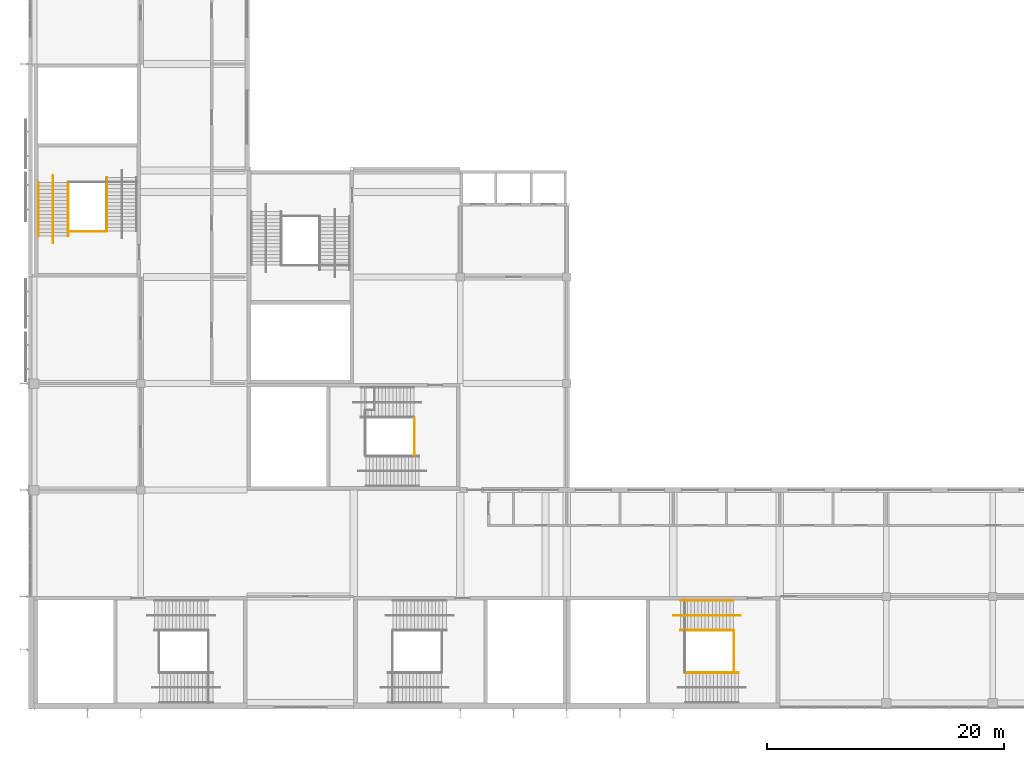
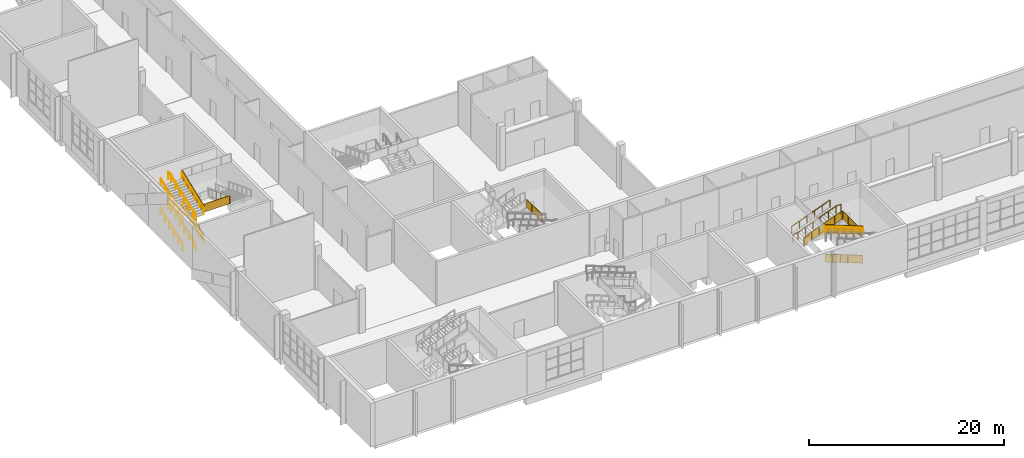
# One storey, part 63 of 84: 19 railings.
"""IFC4 building model written with IfcOpenShell, lengths in metres."""

import ifcopenshell
import ifcopenshell.guid

model = None  # the IFC model being written
_history = None  # IfcOwnerHistory: only IFC2X3 demands one
_inside = {}  # id of a spatial element -> (the spatial element, [elements in it])
_under = {}  # id of a project, library or spatial element -> (it, [spatial elements below it])
_declared = {}  # id of a project -> (the project, [libraries it declares])
_typed = {}  # id of a type object -> (the type object, [elements of that type])
_made_of = {}  # id of a material, layer set ... -> (it, [elements and type objects made of it])


def new_model(schema):
    """Start an empty IFC model of exactly this schema.

    Asked for "IFC4X3", IfcOpenShell would pick the latest addendum, in which some entities
    have other attributes; the version numbers below select the first issue.
    IFC2X3 requires an IfcOwnerHistory on every rooted entity: one is made here for all.
    """
    global model, _history
    if schema == "IFC4X3":
        model = ifcopenshell.file(schema_version=(4, 3, 0, 0))
    else:
        model = ifcopenshell.file(schema=schema)
    _inside.clear()
    _under.clear()
    _declared.clear()
    _typed.clear()
    _made_of.clear()
    _history = None
    if model.schema == "IFC2X3":
        org = make("IfcOrganization", Name="unknown")
        user = make(
            "IfcPersonAndOrganization",
            ThePerson=make("IfcPerson", FamilyName="unknown"),
            TheOrganization=org,
        )
        app = make(
            "IfcApplication",
            ApplicationDeveloper=org,
            Version="unknown",
            ApplicationFullName="unknown",
            ApplicationIdentifier="unknown",
        )
        _history = make(
            "IfcOwnerHistory",
            OwningUser=user,
            OwningApplication=app,
            ChangeAction="ADDED",
            CreationDate=0,
        )
    return model


def make(cls, **values):
    """One entity of the class cls with the attributes given. An attribute that is None is left unset."""
    return model.create_entity(
        cls, **{name: value for name, value in values.items() if value is not None}
    )


def rooted(cls, **values):
    """An entity with a GlobalId (a new one), such as an element, a storey or a relation."""
    return make(cls, GlobalId=ifcopenshell.guid.new(), OwnerHistory=_history, **values)


def si_unit(unit_type, name, prefix=None):
    """IfcSIUnit, for example si_unit("LENGTHUNIT", "METRE", prefix="MILLI")."""
    return make("IfcSIUnit", UnitType=unit_type, Prefix=prefix, Name=name)


def assignment(units):
    """IfcUnitAssignment: the units of a project."""
    return None if units is None else make("IfcUnitAssignment", Units=units)


def point(xyz):
    """IfcCartesianPoint."""
    return None if xyz is None else make("IfcCartesianPoint", Coordinates=xyz)


def direction(xyz):
    """IfcDirection."""
    return None if xyz is None else make("IfcDirection", DirectionRatios=xyz)


def frame(location, z_axis=None, x_axis=None):
    """IfcAxis2Placement3D, a coordinate frame: its origin and axes. An axis left out is left unset."""
    return make(
        "IfcAxis2Placement3D",
        Location=point(location),
        Axis=direction(z_axis),
        RefDirection=direction(x_axis),
    )


def frame_2d(location, x_axis=None):
    """IfcAxis2Placement2D, a coordinate frame in the plane: its origin and x axis."""
    return make(
        "IfcAxis2Placement2D", Location=point(location), RefDirection=direction(x_axis)
    )


def origin():
    """The frame at (0, 0, 0) with its axes left unset."""
    return frame((0.0, 0.0, 0.0))


def origin_2d():
    """The frame at (0, 0) in the plane with its x axis left unset."""
    return frame_2d((0.0, 0.0))


def place(relative_to, where):
    """IfcLocalPlacement: puts the frame where relative to a parent placement (None: the world)."""
    return make(
        "IfcLocalPlacement", PlacementRelTo=relative_to, RelativePlacement=where
    )


def context(
    kind, dimensions, precision=None, world=None, true_north=None, identifier=None
):
    """IfcGeometricRepresentationContext, for example the 3D "Model" context."""
    return make(
        "IfcGeometricRepresentationContext",
        ContextIdentifier=identifier,
        ContextType=kind,
        CoordinateSpaceDimension=dimensions,
        Precision=precision,
        WorldCoordinateSystem=world,
        TrueNorth=true_north,
    )


def subcontext(parent, identifier, kind, view, scale=None):
    """IfcGeometricRepresentationSubContext, for example "Body" below "Model"."""
    return make(
        "IfcGeometricRepresentationSubContext",
        ContextIdentifier=identifier,
        ContextType=kind,
        ParentContext=parent,
        TargetScale=scale,
        TargetView=view,
    )


def project(units=None, contexts=None):
    """IfcProject with its units and contexts."""
    return rooted(
        "IfcProject",
        Name="project",
        RepresentationContexts=contexts,
        UnitsInContext=assignment(units),
    )


def spatial(cls, under=None, at=None, **own):
    """A site, building, storey or space (cls), placed at a placement, below another one or the project."""
    s = rooted(cls, ObjectPlacement=at, **own)
    if under is not None:
        _under.setdefault(under.id(), (under, []))[1].append(s)
    return s


def polyline(points):
    """IfcPolyline through the points."""
    return make("IfcPolyline", Points=[point(p) for p in points])


def profile(cls, at=None, kind="AREA", **sizes):
    """A parametric profile (cls). Its sizes go by their IFC names, for example OverallWidth=200.0."""
    return make(cls, ProfileType=kind, Position=at, **sizes)


def circle(**sizes):
    """IfcCircleProfileDef."""
    return profile("IfcCircleProfileDef", **sizes)


def outline(outer, holes=None, kind="AREA"):
    """IfcArbitraryClosedProfileDef: a profile drawn as a closed curve; with holes, ...WithVoids."""
    if holes is None:
        return make("IfcArbitraryClosedProfileDef", ProfileType=kind, OuterCurve=outer)
    return make(
        "IfcArbitraryProfileDefWithVoids",
        ProfileType=kind,
        OuterCurve=outer,
        InnerCurves=holes,
    )


def extrude(swept, where, along, depth):
    """IfcExtrudedAreaSolid: the profile swept, set in the frame where, extruded along a direction by depth."""
    return make(
        "IfcExtrudedAreaSolid",
        SweptArea=swept,
        Position=where,
        ExtrudedDirection=direction(along),
        Depth=depth,
    )


def shape(context_of_items, identifier, shape_type, items):
    """IfcShapeRepresentation: the items that make up one representation, for example the "Body"."""
    return make(
        "IfcShapeRepresentation",
        ContextOfItems=context_of_items,
        RepresentationIdentifier=identifier,
        RepresentationType=shape_type,
        Items=items,
    )


def material(Name=None, Category=None):
    """IfcMaterial."""
    return make("IfcMaterial", Name=Name, Category=Category)


def made_of(thing, what):
    """Note that an element or type object is made of a material, layer set ...; save() writes the relation."""
    if what is not None:
        _made_of.setdefault(what.id(), (what, []))[1].append(thing)
    return thing


def type_object(cls, material=None, **own):
    """A type object (cls), such as IfcWallType, which elements share."""
    return made_of(rooted(cls, **own), material)


def element(
    cls,
    number,
    at=None,
    inside=None,
    cuts=None,
    type_object=None,
    material=None,
    context=None,
    identifier="Body",
    shape_type=None,
    held_by="IfcProductDefinitionShape",
    body=None,
    shapes=None,
    **own,
):
    """One element of the class cls, such as IfcWall. Its Tag is "e" and its number.

    at: its placement. inside: the storey or other place that contains it. cuts: it is an
    opening in that element (IfcRelVoidsElement). A single representation is given by context,
    identifier, shape_type and body (its items); several are given by shapes. held_by: the class
    of the entity that holds the representations. save() writes the other relations.
    """
    e = rooted(cls, Tag="e%d" % number, ObjectPlacement=at, **own)
    if body is not None:
        shapes = [shape(context, identifier, shape_type, body)]
    if shapes is not None:
        e.Representation = make(held_by, Representations=shapes)
    if inside is not None:
        _inside.setdefault(inside.id(), (inside, []))[1].append(e)
    if cuts is not None:
        rooted(
            "IfcRelVoidsElement", RelatingBuildingElement=cuts, RelatedOpeningElement=e
        )
    if type_object is not None:
        _typed.setdefault(type_object.id(), (type_object, []))[1].append(e)
    return made_of(e, material)


def aggregate(whole, parts):
    """IfcRelAggregates: a whole, such as a stair, and the parts it consists of."""
    return rooted("IfcRelAggregates", RelatingObject=whole, RelatedObjects=parts)


def save(model, path):
    """Write the relations noted so far, then the file.

    IfcRelAggregates (storeys below a building ...), IfcRelContainedInSpatialStructure (elements
    in a storey), IfcRelDefinesByType, IfcRelAssociatesMaterial and IfcRelDeclares: one each for
    every whole, place, type object, material and project.
    """
    for whole, parts in _under.values():
        aggregate(whole, parts)
    for where, things in _inside.values():
        rooted(
            "IfcRelContainedInSpatialStructure",
            RelatedElements=things,
            RelatingStructure=where,
        )
    for kind, things in _typed.values():
        rooted("IfcRelDefinesByType", RelatedObjects=things, RelatingType=kind)
    for what, things in _made_of.values():
        rooted("IfcRelAssociatesMaterial", RelatedObjects=things, RelatingMaterial=what)
    for by, libraries in _declared.values():
        rooted("IfcRelDeclares", RelatingContext=by, RelatedDefinitions=libraries)
    model.write(path)


model = new_model("IFC4")

# Units and contexts
model_context = context("Model", 3, precision=1e-05, world=origin(), true_north=direction((0.0, 1.0)))
body_context = subcontext(model_context, "Body", "Model", "MODEL_VIEW")
ifc_project = project(units=[si_unit("LENGTHUNIT", "METRE"), si_unit("AREAUNIT", "SQUARE_METRE"), si_unit("VOLUMEUNIT", "CUBIC_METRE"), si_unit("PLANEANGLEUNIT", "RADIAN"), si_unit("MASSUNIT", "GRAM", prefix="KILO")], contexts=[model_context])

# Site, building, storey
site_placement = place(None, origin())
site = spatial("IfcSite", under=ifc_project, at=site_placement, CompositionType="ELEMENT")
building_placement = place(site_placement, origin())
building = spatial("IfcBuilding", under=site, at=building_placement, Name="Silverbay Arena", CompositionType="ELEMENT")
storey_placement = place(building_placement, frame((0.0, 0.0, 28.0)))
storey = spatial("IfcBuildingStorey", under=building, at=storey_placement, Name="L04", CompositionType="ELEMENT", Elevation=28.0)

# Railings
ifc_material_1 = material(Name="Stainless steel", Category="steel")
railing_type_1 = type_object("IfcRailingType", Name="Stair guard 1100", PredefinedType="GUARDRAIL", material=ifc_material_1)
railing_1_placement = place(storey_placement, frame((113.5205078125, 20.574951171875, 0.114501953125)))
element("IfcRailing", 1, at=railing_1_placement, inside=storey, type_object=railing_type_1, Name="Stair ST-S2 L04 to L05 flight 1 guard left", PredefinedType="GUARDRAIL", context=body_context, shape_type="SweptSolid", body=[
    extrude(circle(Radius=0.02392578125, at=origin_2d()), frame((0.0, 0.0, 1.076171875), z_axis=(-0.93417907455, 0.0, 0.356804507641), x_axis=(0.0, -1.0, 0.0)), (0.0, 0.0, 1.0), 4.817138671875),
    extrude(outline(polyline([(-0.008056640625, 0.046875), (0.907958984375, 0.396728515625), (0.907958984375, 1.39990234375), (-0.008056640625, 1.050048828125), (-0.008056640625, 0.046875)])), frame((0.0, -0.0029296875, 0.0), z_axis=(0.0, 1.0, 0.0), x_axis=(-1.0, 0.0, 0.0)), (0.0, 0.0, 1.0), 0.006103515625),
    extrude(outline(polyline([(-0.008056640625, 0.390625), (0.907958984375, 0.740478515625), (0.907958984375, 1.74365234375), (-0.008056640625, 1.393798828125), (-0.008056640625, 0.390625)])), frame((-0.89990234375, -0.0029296875, 0.0), z_axis=(0.0, 1.0, 0.0), x_axis=(-1.0, 0.0, 0.0)), (0.0, 0.0, 1.0), 0.006103515625),
    extrude(outline(polyline([(-0.008056640625, 0.734375), (0.907958984375, 1.084228515625), (0.907958984375, 2.08740234375), (-0.008056640625, 1.737548828125), (-0.008056640625, 0.734375)])), frame((-1.800048828125, -0.0029296875, 0.0), z_axis=(0.0, 1.0, 0.0), x_axis=(-1.0, 0.0, 0.0)), (0.0, 0.0, 1.0), 0.006103515625),
    extrude(outline(polyline([(-0.008056640625, 1.078125), (0.907958984375, 1.427978515625), (0.907958984375, 2.43115234375), (-0.008056640625, 2.081298828125), (-0.008056640625, 1.078125)])), frame((-2.699951171875, -0.0029296875, 0.0), z_axis=(0.0, 1.0, 0.0), x_axis=(-1.0, 0.0, 0.0)), (0.0, 0.0, 1.0), 0.006103515625),
    extrude(outline(polyline([(-0.008056640625, 1.421875), (0.907958984375, 1.771728515625), (0.907958984375, 2.77490234375), (-0.008056640625, 2.425048828125), (-0.008056640625, 1.421875)])), frame((-3.60009765625, -0.0029296875, 0.0), z_axis=(0.0, 1.0, 0.0), x_axis=(-1.0, 0.0, 0.0)), (0.0, 0.0, 1.0), 0.006103515625),
    extrude(circle(Radius=0.02099609375, at=origin_2d()), origin(), (0.0, 0.0, 1.0), 1.052001953125),
    extrude(circle(Radius=0.02099609375, at=origin_2d()), frame((-0.89990234375, 0.0, 0.34375)), (0.0, 0.0, 1.0), 1.052001953125),
    extrude(circle(Radius=0.02099609375, at=origin_2d()), frame((-1.800048828125, 0.0, 0.6875)), (0.0, 0.0, 1.0), 1.052001953125),
    extrude(circle(Radius=0.02099609375, at=origin_2d()), frame((-2.699951171875, 0.0, 1.03125)), (0.0, 0.0, 1.0), 1.052001953125),
    extrude(circle(Radius=0.02099609375, at=origin_2d()), frame((-3.60009765625, 0.0, 1.375)), (0.0, 0.0, 1.0), 1.052001953125),
    extrude(circle(Radius=0.02099609375, at=origin_2d()), frame((-4.5, 0.0, 1.71875)), (0.0, 0.0, 1.0), 1.052001953125),
])
railing_2_placement = place(storey_placement, frame((108.60009765625, 24.125, 1.947998046875)))
element("IfcRailing", 2, at=railing_2_placement, inside=storey, type_object=railing_type_1, Name="Stair ST-S2 L04 to L05 flight 2 guard right", PredefinedType="GUARDRAIL", context=body_context, shape_type="SweptSolid", body=[
    extrude(circle(Radius=0.02392578125, at=origin_2d()), frame((0.0, 0.0, 1.076171875), z_axis=(0.93417907455, 0.0, 0.356804507641), x_axis=(0.0, 1.0, 0.0)), (0.0, 0.0, 1.0), 4.817138671875),
    extrude(outline(polyline([(-0.008056640625, 0.046875), (0.907958984375, 0.396728515625), (0.907958984375, 1.39990234375), (-0.008056640625, 1.050048828125), (-0.008056640625, 0.046875)])), frame((0.0, 0.0029296875, 0.0), z_axis=(0.0, -1.0, 0.0), x_axis=(1.0, 0.0, 0.0)), (0.0, 0.0, 1.0), 0.006103515625),
    extrude(outline(polyline([(-0.008056640625, 0.390625), (0.907958984375, 0.740478515625), (0.907958984375, 1.74365234375), (-0.008056640625, 1.393798828125), (-0.008056640625, 0.390625)])), frame((0.89990234375, 0.0029296875, 0.0), z_axis=(0.0, -1.0, 0.0), x_axis=(1.0, 0.0, 0.0)), (0.0, 0.0, 1.0), 0.006103515625),
    extrude(outline(polyline([(-0.008056640625, 0.734375), (0.907958984375, 1.084228515625), (0.907958984375, 2.08740234375), (-0.008056640625, 1.737548828125), (-0.008056640625, 0.734375)])), frame((1.800048828125, 0.0029296875, 0.0), z_axis=(0.0, -1.0, 0.0), x_axis=(1.0, 0.0, 0.0)), (0.0, 0.0, 1.0), 0.006103515625),
    extrude(outline(polyline([(-0.008056640625, 1.078125), (0.907958984375, 1.427978515625), (0.907958984375, 2.43115234375), (-0.008056640625, 2.081298828125), (-0.008056640625, 1.078125)])), frame((2.699951171875, 0.0029296875, 0.0), z_axis=(0.0, -1.0, 0.0), x_axis=(1.0, 0.0, 0.0)), (0.0, 0.0, 1.0), 0.006103515625),
    extrude(outline(polyline([(-0.008056640625, 1.421875), (0.907958984375, 1.771728515625), (0.907958984375, 2.77490234375), (-0.008056640625, 2.425048828125), (-0.008056640625, 1.421875)])), frame((3.60009765625, 0.0029296875, 0.0), z_axis=(0.0, -1.0, 0.0), x_axis=(1.0, 0.0, 0.0)), (0.0, 0.0, 1.0), 0.006103515625),
    extrude(circle(Radius=0.02099609375, at=origin_2d()), origin(), (0.0, 0.0, 1.0), 1.052001953125),
    extrude(circle(Radius=0.02099609375, at=origin_2d()), frame((0.89990234375, 0.0, 0.34375)), (0.0, 0.0, 1.0), 1.052001953125),
    extrude(circle(Radius=0.02099609375, at=origin_2d()), frame((1.800048828125, 0.0, 0.6875)), (0.0, 0.0, 1.0), 1.052001953125),
    extrude(circle(Radius=0.02099609375, at=origin_2d()), frame((2.699951171875, 0.0, 1.03125)), (0.0, 0.0, 1.0), 1.052001953125),
    extrude(circle(Radius=0.02099609375, at=origin_2d()), frame((3.60009765625, 0.0, 1.375)), (0.0, 0.0, 1.0), 1.052001953125),
    extrude(circle(Radius=0.02099609375, at=origin_2d()), frame((4.5, 0.0, 1.71875)), (0.0, 0.0, 1.0), 1.052001953125),
])
railing_3_placement = place(storey_placement, frame((113.5205078125, 20.574951171875, 3.78125)))
element("IfcRailing", 3, at=railing_3_placement, inside=storey, type_object=railing_type_1, Name="Stair ST-S2 L04 to L05 flight 3 guard left", PredefinedType="GUARDRAIL", context=body_context, shape_type="SweptSolid", body=[
    extrude(circle(Radius=0.02392578125, at=origin_2d()), frame((0.0, 0.0, 1.076171875), z_axis=(-0.93417907455, 0.0, 0.356804507641), x_axis=(0.0, -1.0, 0.0)), (0.0, 0.0, 1.0), 4.817138671875),
    extrude(outline(polyline([(-0.008056640625, 0.046875), (0.907958984375, 0.396728515625), (0.907958984375, 1.39990234375), (-0.008056640625, 1.050048828125), (-0.008056640625, 0.046875)])), frame((0.0, -0.0029296875, 0.0), z_axis=(0.0, 1.0, 0.0), x_axis=(-1.0, 0.0, 0.0)), (0.0, 0.0, 1.0), 0.006103515625),
    extrude(outline(polyline([(-0.008056640625, 0.390625), (0.907958984375, 0.740478515625), (0.907958984375, 1.74365234375), (-0.008056640625, 1.393798828125), (-0.008056640625, 0.390625)])), frame((-0.89990234375, -0.0029296875, 0.0), z_axis=(0.0, 1.0, 0.0), x_axis=(-1.0, 0.0, 0.0)), (0.0, 0.0, 1.0), 0.006103515625),
    extrude(outline(polyline([(-0.008056640625, 0.734375), (0.907958984375, 1.084228515625), (0.907958984375, 2.08740234375), (-0.008056640625, 1.737548828125), (-0.008056640625, 0.734375)])), frame((-1.800048828125, -0.0029296875, 0.0), z_axis=(0.0, 1.0, 0.0), x_axis=(-1.0, 0.0, 0.0)), (0.0, 0.0, 1.0), 0.006103515625),
    extrude(outline(polyline([(-0.008056640625, 1.078125), (0.907958984375, 1.427978515625), (0.907958984375, 2.43115234375), (-0.008056640625, 2.081298828125), (-0.008056640625, 1.078125)])), frame((-2.699951171875, -0.0029296875, 0.0), z_axis=(0.0, 1.0, 0.0), x_axis=(-1.0, 0.0, 0.0)), (0.0, 0.0, 1.0), 0.006103515625),
    extrude(outline(polyline([(-0.008056640625, 1.421875), (0.907958984375, 1.771728515625), (0.907958984375, 2.77490234375), (-0.008056640625, 2.425048828125), (-0.008056640625, 1.421875)])), frame((-3.60009765625, -0.0029296875, 0.0), z_axis=(0.0, 1.0, 0.0), x_axis=(-1.0, 0.0, 0.0)), (0.0, 0.0, 1.0), 0.006103515625),
    extrude(circle(Radius=0.02099609375, at=origin_2d()), origin(), (0.0, 0.0, 1.0), 1.052001953125),
    extrude(circle(Radius=0.02099609375, at=origin_2d()), frame((-0.89990234375, 0.0, 0.34375)), (0.0, 0.0, 1.0), 1.052001953125),
    extrude(circle(Radius=0.02099609375, at=origin_2d()), frame((-1.800048828125, 0.0, 0.6875)), (0.0, 0.0, 1.0), 1.052001953125),
    extrude(circle(Radius=0.02099609375, at=origin_2d()), frame((-2.699951171875, 0.0, 1.03125)), (0.0, 0.0, 1.0), 1.052001953125),
    extrude(circle(Radius=0.02099609375, at=origin_2d()), frame((-3.60009765625, 0.0, 1.375)), (0.0, 0.0, 1.0), 1.052001953125),
    extrude(circle(Radius=0.02099609375, at=origin_2d()), frame((-4.5, 0.0, 1.71875)), (0.0, 0.0, 1.0), 1.052001953125),
])
railing_4_placement = place(storey_placement, frame((113.14990234375, 24.10009765625, 3.666748046875)))
element("IfcRailing", 4, at=railing_4_placement, inside=storey, type_object=railing_type_1, Name="Stair ST-S2 L04 to L05 landing 2 guard", PredefinedType="GUARDRAIL", context=body_context, shape_type="SweptSolid", body=[
    extrude(circle(Radius=0.02392578125, at=origin_2d()), frame((0.0, 0.0, 1.076171875), z_axis=(0.0, -1.0, 0.0), x_axis=(1.0, 0.0, 0.0)), (0.0, 0.0, 1.0), 3.5),
    extrude(outline(polyline([(-0.008056640625, 0.050048828125), (1.174560546875, 0.050048828125), (1.174560546875, 1.052978515625), (-0.008056640625, 1.052978515625), (-0.008056640625, 0.050048828125)])), frame((0.0029296875, 0.0, 0.0), z_axis=(-1.0, 0.0, 0.0), x_axis=(0.0, -1.0, 0.0)), (0.0, 0.0, 1.0), 0.006103515625),
    extrude(outline(polyline([(-0.008056640625, 0.050048828125), (1.174560546875, 0.050048828125), (1.174560546875, 1.052978515625), (-0.008056640625, 1.052978515625), (-0.008056640625, 0.050048828125)])), frame((0.0029296875, -1.166748046875, 0.0), z_axis=(-1.0, 0.0, 0.0), x_axis=(0.0, -1.0, 0.0)), (0.0, 0.0, 1.0), 0.006103515625),
    extrude(outline(polyline([(-0.008056640625, 0.050048828125), (1.174560546875, 0.050048828125), (1.174560546875, 1.052978515625), (-0.008056640625, 1.052978515625), (-0.008056640625, 0.050048828125)])), frame((0.0029296875, -2.333251953125, 0.0), z_axis=(-1.0, 0.0, 0.0), x_axis=(0.0, -1.0, 0.0)), (0.0, 0.0, 1.0), 0.006103515625),
    extrude(circle(Radius=0.02099609375, at=origin_2d()), origin(), (0.0, 0.0, 1.0), 1.052001953125),
    extrude(circle(Radius=0.02099609375, at=origin_2d()), frame((0.0, -1.166748046875, 0.0)), (0.0, 0.0, 1.0), 1.052001953125),
    extrude(circle(Radius=0.02099609375, at=origin_2d()), frame((0.0, -2.333251953125, 0.0)), (0.0, 0.0, 1.0), 1.052001953125),
    extrude(circle(Radius=0.02099609375, at=origin_2d()), frame((0.0, -3.5, 0.0)), (0.0, 0.0, 1.0), 1.052001953125),
])
railing_5_placement = place(storey_placement, frame((56.875, 57.4794921875, 0.114501953125)))
element("IfcRailing", 5, at=railing_5_placement, inside=storey, type_object=railing_type_1, Name="Stair ST-W1 L04 to L05 flight 1 guard left", PredefinedType="GUARDRAIL", context=body_context, shape_type="SweptSolid", body=[
    extrude(circle(Radius=0.02392578125, at=origin_2d()), frame((0.0, 0.0, 1.076171875), z_axis=(0.0, 0.93417907455, 0.356804507641), x_axis=(-1.0, 0.0, 0.0)), (0.0, 0.0, 1.0), 4.817138671875),
    extrude(outline(polyline([(-0.008056640625, 0.046875), (0.907958984375, 0.396728515625), (0.907958984375, 1.39990234375), (-0.008056640625, 1.050048828125), (-0.008056640625, 0.046875)])), frame((-0.0029296875, 0.0, 0.0), z_axis=(1.0, 0.0, 0.0), x_axis=(0.0, 1.0, 0.0)), (0.0, 0.0, 1.0), 0.006103515625),
    extrude(outline(polyline([(-0.008056640625, 0.390625), (0.907958984375, 0.740478515625), (0.907958984375, 1.74365234375), (-0.008056640625, 1.393798828125), (-0.008056640625, 0.390625)])), frame((-0.0029296875, 0.89990234375, 0.0), z_axis=(1.0, 0.0, 0.0), x_axis=(0.0, 1.0, 0.0)), (0.0, 0.0, 1.0), 0.006103515625),
    extrude(outline(polyline([(-0.008056640625, 0.734375), (0.907958984375, 1.084228515625), (0.907958984375, 2.08740234375), (-0.008056640625, 1.737548828125), (-0.008056640625, 0.734375)])), frame((-0.0029296875, 1.800048828125, 0.0), z_axis=(1.0, 0.0, 0.0), x_axis=(0.0, 1.0, 0.0)), (0.0, 0.0, 1.0), 0.006103515625),
    extrude(outline(polyline([(-0.008056640625, 1.078125), (0.907958984375, 1.427978515625), (0.907958984375, 2.43115234375), (-0.008056640625, 2.081298828125), (-0.008056640625, 1.078125)])), frame((-0.0029296875, 2.699951171875, 0.0), z_axis=(1.0, 0.0, 0.0), x_axis=(0.0, 1.0, 0.0)), (0.0, 0.0, 1.0), 0.006103515625),
    extrude(outline(polyline([(-0.008056640625, 1.421875), (0.907958984375, 1.771728515625), (0.907958984375, 2.77490234375), (-0.008056640625, 2.425048828125), (-0.008056640625, 1.421875)])), frame((-0.0029296875, 3.60009765625, 0.0), z_axis=(1.0, 0.0, 0.0), x_axis=(0.0, 1.0, 0.0)), (0.0, 0.0, 1.0), 0.006103515625),
    extrude(circle(Radius=0.02099609375, at=origin_2d()), origin(), (0.0, 0.0, 1.0), 1.052001953125),
    extrude(circle(Radius=0.02099609375, at=origin_2d()), frame((0.0, 0.89990234375, 0.34375)), (0.0, 0.0, 1.0), 1.052001953125),
    extrude(circle(Radius=0.02099609375, at=origin_2d()), frame((0.0, 1.800048828125, 0.6875)), (0.0, 0.0, 1.0), 1.052001953125),
    extrude(circle(Radius=0.02099609375, at=origin_2d()), frame((0.0, 2.699951171875, 1.03125)), (0.0, 0.0, 1.0), 1.052001953125),
    extrude(circle(Radius=0.02099609375, at=origin_2d()), frame((0.0, 3.60009765625, 1.375)), (0.0, 0.0, 1.0), 1.052001953125),
    extrude(circle(Radius=0.02099609375, at=origin_2d()), frame((0.0, 4.5, 1.71875)), (0.0, 0.0, 1.0), 1.052001953125),
])
railing_6_placement = place(storey_placement, frame((56.875, 57.4794921875, 3.78125)))
element("IfcRailing", 6, at=railing_6_placement, inside=storey, type_object=railing_type_1, Name="Stair ST-W1 L04 to L05 flight 3 guard left", PredefinedType="GUARDRAIL", context=body_context, shape_type="SweptSolid", body=[
    extrude(circle(Radius=0.02392578125, at=origin_2d()), frame((0.0, 0.0, 1.076171875), z_axis=(0.0, 0.93417907455, 0.356804507641), x_axis=(-1.0, 0.0, 0.0)), (0.0, 0.0, 1.0), 4.817138671875),
    extrude(outline(polyline([(-0.008056640625, 0.046875), (0.907958984375, 0.396728515625), (0.907958984375, 1.39990234375), (-0.008056640625, 1.050048828125), (-0.008056640625, 0.046875)])), frame((-0.0029296875, 0.0, 0.0), z_axis=(1.0, 0.0, 0.0), x_axis=(0.0, 1.0, 0.0)), (0.0, 0.0, 1.0), 0.006103515625),
    extrude(outline(polyline([(-0.008056640625, 0.390625), (0.907958984375, 0.740478515625), (0.907958984375, 1.74365234375), (-0.008056640625, 1.393798828125), (-0.008056640625, 0.390625)])), frame((-0.0029296875, 0.89990234375, 0.0), z_axis=(1.0, 0.0, 0.0), x_axis=(0.0, 1.0, 0.0)), (0.0, 0.0, 1.0), 0.006103515625),
    extrude(outline(polyline([(-0.008056640625, 0.734375), (0.907958984375, 1.084228515625), (0.907958984375, 2.08740234375), (-0.008056640625, 1.737548828125), (-0.008056640625, 0.734375)])), frame((-0.0029296875, 1.800048828125, 0.0), z_axis=(1.0, 0.0, 0.0), x_axis=(0.0, 1.0, 0.0)), (0.0, 0.0, 1.0), 0.006103515625),
    extrude(outline(polyline([(-0.008056640625, 1.078125), (0.907958984375, 1.427978515625), (0.907958984375, 2.43115234375), (-0.008056640625, 2.081298828125), (-0.008056640625, 1.078125)])), frame((-0.0029296875, 2.699951171875, 0.0), z_axis=(1.0, 0.0, 0.0), x_axis=(0.0, 1.0, 0.0)), (0.0, 0.0, 1.0), 0.006103515625),
    extrude(outline(polyline([(-0.008056640625, 1.421875), (0.907958984375, 1.771728515625), (0.907958984375, 2.77490234375), (-0.008056640625, 2.425048828125), (-0.008056640625, 1.421875)])), frame((-0.0029296875, 3.60009765625, 0.0), z_axis=(1.0, 0.0, 0.0), x_axis=(0.0, 1.0, 0.0)), (0.0, 0.0, 1.0), 0.006103515625),
    extrude(circle(Radius=0.02099609375, at=origin_2d()), origin(), (0.0, 0.0, 1.0), 1.052001953125),
    extrude(circle(Radius=0.02099609375, at=origin_2d()), frame((0.0, 0.89990234375, 0.34375)), (0.0, 0.0, 1.0), 1.052001953125),
    extrude(circle(Radius=0.02099609375, at=origin_2d()), frame((0.0, 1.800048828125, 0.6875)), (0.0, 0.0, 1.0), 1.052001953125),
    extrude(circle(Radius=0.02099609375, at=origin_2d()), frame((0.0, 2.699951171875, 1.03125)), (0.0, 0.0, 1.0), 1.052001953125),
    extrude(circle(Radius=0.02099609375, at=origin_2d()), frame((0.0, 3.60009765625, 1.375)), (0.0, 0.0, 1.0), 1.052001953125),
    extrude(circle(Radius=0.02099609375, at=origin_2d()), frame((0.0, 4.5, 1.71875)), (0.0, 0.0, 1.0), 1.052001953125),
])
railing_7_placement = place(storey_placement, frame((60.10009765625, 57.85009765625, 3.666748046875)))
element("IfcRailing", 7, at=railing_7_placement, inside=storey, type_object=railing_type_1, Name="Stair ST-W1 L04 to L05 landing 2 guard", PredefinedType="GUARDRAIL", context=body_context, shape_type="SweptSolid", body=[
    extrude(circle(Radius=0.02392578125, at=origin_2d()), frame((0.0, 0.0, 1.076171875), z_axis=(-1.0, 0.0, 0.0), x_axis=(0.0, -1.0, 0.0)), (0.0, 0.0, 1.0), 3.2001953125),
    extrude(outline(polyline([(-0.008056640625, 0.050048828125), (1.07470703125, 0.050048828125), (1.07470703125, 1.052978515625), (-0.008056640625, 1.052978515625), (-0.008056640625, 0.050048828125)])), frame((0.0, -0.0029296875, 0.0), z_axis=(0.0, 1.0, 0.0), x_axis=(-1.0, 0.0, 0.0)), (0.0, 0.0, 1.0), 0.006103515625),
    extrude(outline(polyline([(-0.008056640625, 0.050048828125), (1.07470703125, 0.050048828125), (1.07470703125, 1.052978515625), (-0.008056640625, 1.052978515625), (-0.008056640625, 0.050048828125)])), frame((-1.066650390625, -0.0029296875, 0.0), z_axis=(0.0, 1.0, 0.0), x_axis=(-1.0, 0.0, 0.0)), (0.0, 0.0, 1.0), 0.006103515625),
    extrude(outline(polyline([(-0.008056640625, 0.050048828125), (1.07470703125, 0.050048828125), (1.07470703125, 1.052978515625), (-0.008056640625, 1.052978515625), (-0.008056640625, 0.050048828125)])), frame((-2.133544921875, -0.0029296875, 0.0), z_axis=(0.0, 1.0, 0.0), x_axis=(-1.0, 0.0, 0.0)), (0.0, 0.0, 1.0), 0.006103515625),
    extrude(circle(Radius=0.02099609375, at=origin_2d()), origin(), (0.0, 0.0, 1.0), 1.052001953125),
    extrude(circle(Radius=0.02099609375, at=origin_2d()), frame((-1.066650390625, 0.0, 0.0)), (0.0, 0.0, 1.0), 1.052001953125),
    extrude(circle(Radius=0.02099609375, at=origin_2d()), frame((-2.133544921875, 0.0, 0.0)), (0.0, 0.0, 1.0), 1.052001953125),
    extrude(circle(Radius=0.02099609375, at=origin_2d()), frame((-3.2001953125, 0.0, 0.0)), (0.0, 0.0, 1.0), 1.052001953125),
])
railing_8_placement = place(storey_placement, frame((86.14990234375, 42.10009765625, 3.666748046875)))
element("IfcRailing", 8, at=railing_8_placement, inside=storey, type_object=railing_type_1, Name="Stair ST-SW1 L04 to L05 landing 2 guard", PredefinedType="GUARDRAIL", context=body_context, shape_type="SweptSolid", body=[
    extrude(circle(Radius=0.02392578125, at=origin_2d()), frame((0.0, 0.0, 1.076171875), z_axis=(0.0, -1.0, 0.0), x_axis=(1.0, 0.0, 0.0)), (0.0, 0.0, 1.0), 3.2001953125),
    extrude(outline(polyline([(-0.008056640625, 0.050048828125), (1.07470703125, 0.050048828125), (1.07470703125, 1.052978515625), (-0.008056640625, 1.052978515625), (-0.008056640625, 0.050048828125)])), frame((0.0029296875, 0.0, 0.0), z_axis=(-1.0, 0.0, 0.0), x_axis=(0.0, -1.0, 0.0)), (0.0, 0.0, 1.0), 0.006103515625),
    extrude(outline(polyline([(-0.008056640625, 0.050048828125), (1.07470703125, 0.050048828125), (1.07470703125, 1.052978515625), (-0.008056640625, 1.052978515625), (-0.008056640625, 0.050048828125)])), frame((0.0029296875, -1.066650390625, 0.0), z_axis=(-1.0, 0.0, 0.0), x_axis=(0.0, -1.0, 0.0)), (0.0, 0.0, 1.0), 0.006103515625),
    extrude(outline(polyline([(-0.008056640625, 0.050048828125), (1.07470703125, 0.050048828125), (1.07470703125, 1.052978515625), (-0.008056640625, 1.052978515625), (-0.008056640625, 0.050048828125)])), frame((0.0029296875, -2.133544921875, 0.0), z_axis=(-1.0, 0.0, 0.0), x_axis=(0.0, -1.0, 0.0)), (0.0, 0.0, 1.0), 0.006103515625),
    extrude(circle(Radius=0.02099609375, at=origin_2d()), origin(), (0.0, 0.0, 1.0), 1.052001953125),
    extrude(circle(Radius=0.02099609375, at=origin_2d()), frame((0.0, -1.066650390625, 0.0)), (0.0, 0.0, 1.0), 1.052001953125),
    extrude(circle(Radius=0.02099609375, at=origin_2d()), frame((0.0, -2.133544921875, 0.0)), (0.0, 0.0, 1.0), 1.052001953125),
    extrude(circle(Radius=0.02099609375, at=origin_2d()), frame((0.0, -3.2001953125, 0.0)), (0.0, 0.0, 1.0), 1.052001953125),
])
ifc_material_2 = material(Name="Stainless steel", Category="steel")
railing_type_2 = type_object("IfcRailingType", Name="Stair handrail 900", PredefinedType="HANDRAIL", material=ifc_material_2)
for number, where, name in (
    (9, (108.60009765625, 26.64990234375, 1.947998046875), "Stair ST-S2 L04 to L05 flight 2 handrail left"),
    (10, (108.60009765625, 24.1640625, 1.947998046875), "Stair ST-S2 L04 to L05 flight 2 handrail right"),
):
    element("IfcRailing", number, at=place(storey_placement, frame(where)), inside=storey, type_object=railing_type_2, Name=name, PredefinedType="HANDRAIL", context=body_context, shape_type="SweptSolid", body=[
        extrude(circle(Radius=0.02392578125, at=origin_2d()), frame((0.0, 0.0, 0.8759765625), z_axis=(0.93417907455, 0.0, 0.356804507641), x_axis=(0.0, 1.0, 0.0)), (0.0, 0.0, 1.0), 4.817138671875),
        extrude(circle(Radius=0.02099609375, at=origin_2d()), origin(), (0.0, 0.0, 1.0), 0.851806640625),
        extrude(circle(Radius=0.02099609375, at=origin_2d()), frame((0.89990234375, 0.0, 0.34375)), (0.0, 0.0, 1.0), 0.851806640625),
        extrude(circle(Radius=0.02099609375, at=origin_2d()), frame((1.800048828125, 0.0, 0.6875)), (0.0, 0.0, 1.0), 0.851806640625),
        extrude(circle(Radius=0.02099609375, at=origin_2d()), frame((2.699951171875, 0.0, 1.03125)), (0.0, 0.0, 1.0), 0.851806640625),
        extrude(circle(Radius=0.02099609375, at=origin_2d()), frame((3.60009765625, 0.0, 1.375)), (0.0, 0.0, 1.0), 0.851806640625),
        extrude(circle(Radius=0.02099609375, at=origin_2d()), frame((4.5, 0.0, 1.71875)), (0.0, 0.0, 1.0), 0.851806640625),
    ])
railing_9_placement = place(storey_placement, frame((108.0, 25.39990234375, 1.833251953125)))
element("IfcRailing", 11, at=railing_9_placement, inside=storey, type_object=railing_type_2, Name="Stair ST-S2 L04 to L05 flight 2 central handrail", PredefinedType="HANDRAIL", context=body_context, shape_type="SweptSolid", body=[
    extrude(circle(Radius=0.02392578125, at=origin_2d()), frame((0.0, 0.0, 0.8759765625), z_axis=(0.982205411617, 0.0, 0.1878098224), x_axis=(0.0, 1.0, 0.0)), (0.0, 0.0, 1.0), 0.611083984375),
    extrude(circle(Radius=0.02392578125, at=origin_2d()), frame((0.60009765625, 0.0, 0.99072265625), z_axis=(0.93417907455, 0.0, 0.356804507641), x_axis=(0.0, 1.0, 0.0)), (0.0, 0.0, 1.0), 4.817138671875),
    extrude(circle(Radius=0.02392578125, at=origin_2d()), frame((5.10009765625, 0.0, 2.70947265625), z_axis=(1.0, 0.0, 0.0), x_axis=(0.0, 1.0, 0.0)), (0.0, 0.0, 1.0), 0.599853515625),
    extrude(circle(Radius=0.02099609375, at=origin_2d()), origin(), (0.0, 0.0, 1.0), 0.851806640625),
    extrude(circle(Radius=0.02099609375, at=origin_2d()), frame((0.60009765625, 0.0, 0.11474609375)), (0.0, 0.0, 1.0), 0.851806640625),
    extrude(circle(Radius=0.02099609375, at=origin_2d()), frame((1.5, 0.0, 0.45849609375)), (0.0, 0.0, 1.0), 0.851806640625),
    extrude(circle(Radius=0.02099609375, at=origin_2d()), frame((2.400146484375, 0.0, 0.80224609375)), (0.0, 0.0, 1.0), 0.851806640625),
    extrude(circle(Radius=0.02099609375, at=origin_2d()), frame((3.300048828125, 0.0, 1.14599609375)), (0.0, 0.0, 1.0), 0.851806640625),
    extrude(circle(Radius=0.02099609375, at=origin_2d()), frame((4.2001953125, 0.0, 1.48974609375)), (0.0, 0.0, 1.0), 0.851806640625),
    extrude(circle(Radius=0.02099609375, at=origin_2d()), frame((5.10009765625, 0.0, 1.83349609375)), (0.0, 0.0, 1.0), 0.851806640625),
    extrude(circle(Radius=0.02099609375, at=origin_2d()), frame((5.699951171875, 0.0, 1.83349609375)), (0.0, 0.0, 1.0), 0.851806640625),
])
railing_10_placement = place(storey_placement, frame((113.5205078125, 20.535888671875, 3.78125)))
element("IfcRailing", 12, at=railing_10_placement, inside=storey, type_object=railing_type_2, Name="Stair ST-S2 L04 to L05 flight 3 handrail left", PredefinedType="HANDRAIL", context=body_context, shape_type="SweptSolid", body=[
    extrude(circle(Radius=0.02392578125, at=origin_2d()), frame((0.0, 0.0, 0.8759765625), z_axis=(-0.93417907455, 0.0, 0.356804507641), x_axis=(0.0, -1.0, 0.0)), (0.0, 0.0, 1.0), 4.817138671875),
    extrude(circle(Radius=0.02099609375, at=origin_2d()), origin(), (0.0, 0.0, 1.0), 0.851806640625),
    extrude(circle(Radius=0.02099609375, at=origin_2d()), frame((-0.89990234375, 0.0, 0.34375)), (0.0, 0.0, 1.0), 0.851806640625),
    extrude(circle(Radius=0.02099609375, at=origin_2d()), frame((-1.800048828125, 0.0, 0.6875)), (0.0, 0.0, 1.0), 0.851806640625),
    extrude(circle(Radius=0.02099609375, at=origin_2d()), frame((-2.699951171875, 0.0, 1.03125)), (0.0, 0.0, 1.0), 0.851806640625),
    extrude(circle(Radius=0.02099609375, at=origin_2d()), frame((-3.60009765625, 0.0, 1.375)), (0.0, 0.0, 1.0), 0.851806640625),
    extrude(circle(Radius=0.02099609375, at=origin_2d()), frame((-4.5, 0.0, 1.71875)), (0.0, 0.0, 1.0), 0.851806640625),
])
for number, where, name in (
    (13, (56.8359375, 57.4794921875, 0.114501953125), "Stair ST-W1 L04 to L05 flight 1 handrail left"),
    (14, (54.35009765625, 57.4794921875, 0.114501953125), "Stair ST-W1 L04 to L05 flight 1 handrail right"),
):
    element("IfcRailing", number, at=place(storey_placement, frame(where)), inside=storey, type_object=railing_type_2, Name=name, PredefinedType="HANDRAIL", context=body_context, shape_type="SweptSolid", body=[
        extrude(circle(Radius=0.02392578125, at=origin_2d()), frame((0.0, 0.0, 0.8759765625), z_axis=(0.0, 0.93417907455, 0.356804507641), x_axis=(-1.0, 0.0, 0.0)), (0.0, 0.0, 1.0), 4.817138671875),
        extrude(circle(Radius=0.02099609375, at=origin_2d()), origin(), (0.0, 0.0, 1.0), 0.851806640625),
        extrude(circle(Radius=0.02099609375, at=origin_2d()), frame((0.0, 0.89990234375, 0.34375)), (0.0, 0.0, 1.0), 0.851806640625),
        extrude(circle(Radius=0.02099609375, at=origin_2d()), frame((0.0, 1.800048828125, 0.6875)), (0.0, 0.0, 1.0), 0.851806640625),
        extrude(circle(Radius=0.02099609375, at=origin_2d()), frame((0.0, 2.699951171875, 1.03125)), (0.0, 0.0, 1.0), 0.851806640625),
        extrude(circle(Radius=0.02099609375, at=origin_2d()), frame((0.0, 3.60009765625, 1.375)), (0.0, 0.0, 1.0), 0.851806640625),
        extrude(circle(Radius=0.02099609375, at=origin_2d()), frame((0.0, 4.5, 1.71875)), (0.0, 0.0, 1.0), 0.851806640625),
    ])
railing_11_placement = place(storey_placement, frame((55.60009765625, 56.879638671875, 0.0)))
element("IfcRailing", 15, at=railing_11_placement, inside=storey, type_object=railing_type_2, Name="Stair ST-W1 L04 to L05 flight 1 central handrail", PredefinedType="HANDRAIL", context=body_context, shape_type="SweptSolid", body=[
    extrude(circle(Radius=0.02392578125, at=origin_2d()), frame((0.0, 0.0, 0.8759765625), z_axis=(0.0, 0.982265007716, 0.187497878966), x_axis=(-1.0, 0.0, 0.0)), (0.0, 0.0, 1.0), 0.610595703125),
    extrude(circle(Radius=0.02392578125, at=origin_2d()), frame((0.0, 0.599853515625, 0.990234375), z_axis=(0.0, 0.93417907455, 0.356804507641), x_axis=(-1.0, 0.0, 0.0)), (0.0, 0.0, 1.0), 4.817138671875),
    extrude(circle(Radius=0.02392578125, at=origin_2d()), frame((0.0, 5.099853515625, 2.708984375), z_axis=(0.0, 1.0, 0.0), x_axis=(-1.0, 0.0, 0.0)), (0.0, 0.0, 1.0), 0.60009765625),
    extrude(circle(Radius=0.02099609375, at=origin_2d()), origin(), (0.0, 0.0, 1.0), 0.851806640625),
    extrude(circle(Radius=0.02099609375, at=origin_2d()), frame((0.0, 0.599853515625, 0.114501953125)), (0.0, 0.0, 1.0), 0.851806640625),
    extrude(circle(Radius=0.02099609375, at=origin_2d()), frame((0.0, 1.499755859375, 0.458251953125)), (0.0, 0.0, 1.0), 0.851806640625),
    extrude(circle(Radius=0.02099609375, at=origin_2d()), frame((0.0, 2.39990234375, 0.802001953125)), (0.0, 0.0, 1.0), 0.851806640625),
    extrude(circle(Radius=0.02099609375, at=origin_2d()), frame((0.0, 3.2998046875, 1.145751953125)), (0.0, 0.0, 1.0), 0.851806640625),
    extrude(circle(Radius=0.02099609375, at=origin_2d()), frame((0.0, 4.199951171875, 1.489501953125)), (0.0, 0.0, 1.0), 0.851806640625),
    extrude(circle(Radius=0.02099609375, at=origin_2d()), frame((0.0, 5.099853515625, 1.833251953125)), (0.0, 0.0, 1.0), 0.851806640625),
    extrude(circle(Radius=0.02099609375, at=origin_2d()), frame((0.0, 5.699951171875, 1.833251953125)), (0.0, 0.0, 1.0), 0.851806640625),
])
railing_12_placement = place(storey_placement, frame((60.1640625, 62.39990234375, 1.947998046875)))
element("IfcRailing", 16, at=railing_12_placement, inside=storey, type_object=railing_type_2, Name="Stair ST-W1 L04 to L05 flight 2 handrail right", PredefinedType="HANDRAIL", context=body_context, shape_type="SweptSolid", body=[
    extrude(circle(Radius=0.02392578125, at=origin_2d()), frame((0.0, 0.0, 0.8759765625), z_axis=(0.0, -0.93417907455, 0.356804507641), x_axis=(1.0, 0.0, 0.0)), (0.0, 0.0, 1.0), 4.817138671875),
    extrude(circle(Radius=0.02099609375, at=origin_2d()), origin(), (0.0, 0.0, 1.0), 0.851806640625),
    extrude(circle(Radius=0.02099609375, at=origin_2d()), frame((0.0, -0.89990234375, 0.34375)), (0.0, 0.0, 1.0), 0.851806640625),
    extrude(circle(Radius=0.02099609375, at=origin_2d()), frame((0.0, -1.800048828125, 0.6875)), (0.0, 0.0, 1.0), 0.851806640625),
    extrude(circle(Radius=0.02099609375, at=origin_2d()), frame((0.0, -2.699951171875, 1.03125)), (0.0, 0.0, 1.0), 0.851806640625),
    extrude(circle(Radius=0.02099609375, at=origin_2d()), frame((0.0, -3.60009765625, 1.375)), (0.0, 0.0, 1.0), 0.851806640625),
    extrude(circle(Radius=0.02099609375, at=origin_2d()), frame((0.0, -4.5, 1.71875)), (0.0, 0.0, 1.0), 0.851806640625),
])
for number, where, name in (
    (17, (56.8359375, 57.4794921875, 3.78125), "Stair ST-W1 L04 to L05 flight 3 handrail left"),
    (18, (54.35009765625, 57.4794921875, 3.78125), "Stair ST-W1 L04 to L05 flight 3 handrail right"),
):
    element("IfcRailing", number, at=place(storey_placement, frame(where)), inside=storey, type_object=railing_type_2, Name=name, PredefinedType="HANDRAIL", context=body_context, shape_type="SweptSolid", body=[
        extrude(circle(Radius=0.02392578125, at=origin_2d()), frame((0.0, 0.0, 0.8759765625), z_axis=(0.0, 0.93417907455, 0.356804507641), x_axis=(-1.0, 0.0, 0.0)), (0.0, 0.0, 1.0), 4.817138671875),
        extrude(circle(Radius=0.02099609375, at=origin_2d()), origin(), (0.0, 0.0, 1.0), 0.851806640625),
        extrude(circle(Radius=0.02099609375, at=origin_2d()), frame((0.0, 0.89990234375, 0.34375)), (0.0, 0.0, 1.0), 0.851806640625),
        extrude(circle(Radius=0.02099609375, at=origin_2d()), frame((0.0, 1.800048828125, 0.6875)), (0.0, 0.0, 1.0), 0.851806640625),
        extrude(circle(Radius=0.02099609375, at=origin_2d()), frame((0.0, 2.699951171875, 1.03125)), (0.0, 0.0, 1.0), 0.851806640625),
        extrude(circle(Radius=0.02099609375, at=origin_2d()), frame((0.0, 3.60009765625, 1.375)), (0.0, 0.0, 1.0), 0.851806640625),
        extrude(circle(Radius=0.02099609375, at=origin_2d()), frame((0.0, 4.5, 1.71875)), (0.0, 0.0, 1.0), 0.851806640625),
    ])
railing_13_placement = place(storey_placement, frame((55.60009765625, 56.879638671875, 3.666748046875)))
element("IfcRailing", 19, at=railing_13_placement, inside=storey, type_object=railing_type_2, Name="Stair ST-W1 L04 to L05 flight 3 central handrail", PredefinedType="HANDRAIL", context=body_context, shape_type="SweptSolid", body=[
    extrude(circle(Radius=0.02392578125, at=origin_2d()), frame((0.0, 0.0, 0.8759765625), z_axis=(0.0, 0.982265007716, 0.187497878966), x_axis=(-1.0, 0.0, 0.0)), (0.0, 0.0, 1.0), 0.610595703125),
    extrude(circle(Radius=0.02392578125, at=origin_2d()), frame((0.0, 0.599853515625, 0.990234375), z_axis=(0.0, 0.93417907455, 0.356804507641), x_axis=(-1.0, 0.0, 0.0)), (0.0, 0.0, 1.0), 4.817138671875),
    extrude(circle(Radius=0.02392578125, at=origin_2d()), frame((0.0, 5.099853515625, 2.708984375), z_axis=(0.0, 1.0, 0.0), x_axis=(-1.0, 0.0, 0.0)), (0.0, 0.0, 1.0), 0.60009765625),
    extrude(circle(Radius=0.02099609375, at=origin_2d()), origin(), (0.0, 0.0, 1.0), 0.851806640625),
    extrude(circle(Radius=0.02099609375, at=origin_2d()), frame((0.0, 0.599853515625, 0.114501953125)), (0.0, 0.0, 1.0), 0.851806640625),
    extrude(circle(Radius=0.02099609375, at=origin_2d()), frame((0.0, 1.499755859375, 0.458251953125)), (0.0, 0.0, 1.0), 0.851806640625),
    extrude(circle(Radius=0.02099609375, at=origin_2d()), frame((0.0, 2.39990234375, 0.802001953125)), (0.0, 0.0, 1.0), 0.851806640625),
    extrude(circle(Radius=0.02099609375, at=origin_2d()), frame((0.0, 3.2998046875, 1.145751953125)), (0.0, 0.0, 1.0), 0.851806640625),
    extrude(circle(Radius=0.02099609375, at=origin_2d()), frame((0.0, 4.199951171875, 1.489501953125)), (0.0, 0.0, 1.0), 0.851806640625),
    extrude(circle(Radius=0.02099609375, at=origin_2d()), frame((0.0, 5.099853515625, 1.833251953125)), (0.0, 0.0, 1.0), 0.851806640625),
    extrude(circle(Radius=0.02099609375, at=origin_2d()), frame((0.0, 5.699951171875, 1.833251953125)), (0.0, 0.0, 1.0), 0.851806640625),
])

save(model, "model.ifc")
